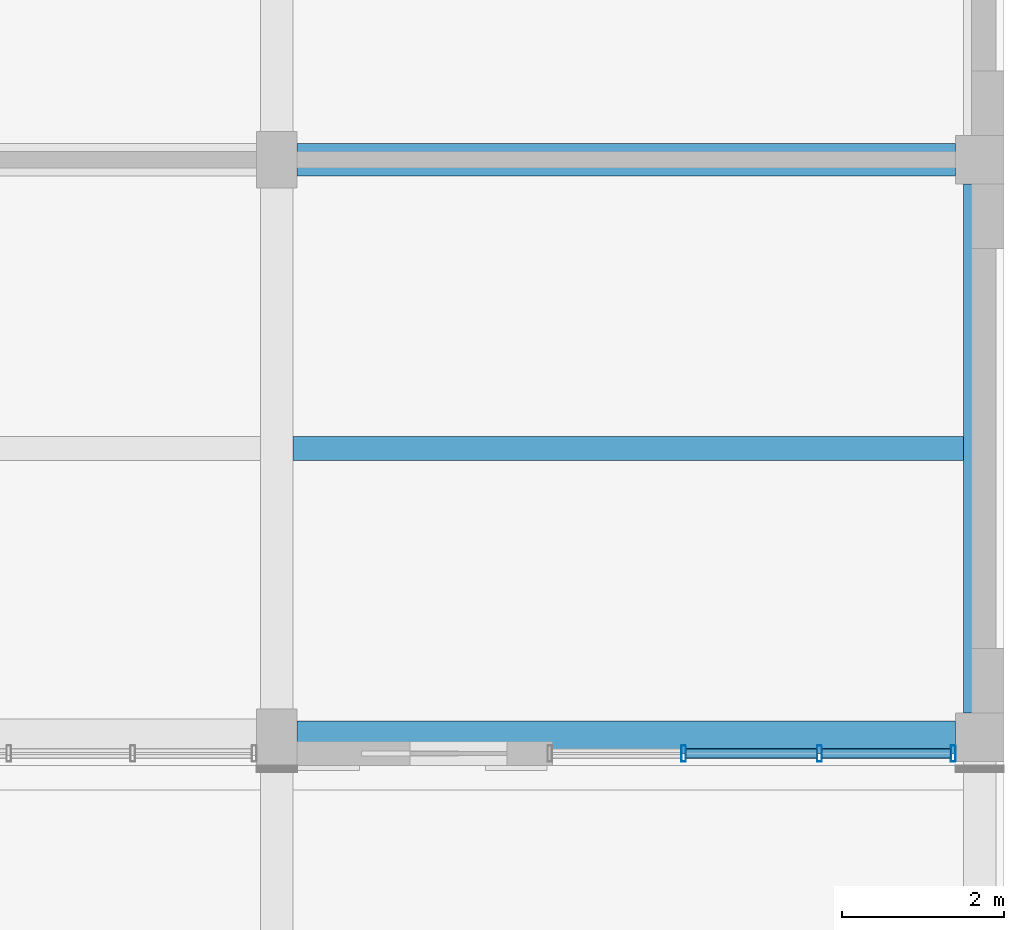
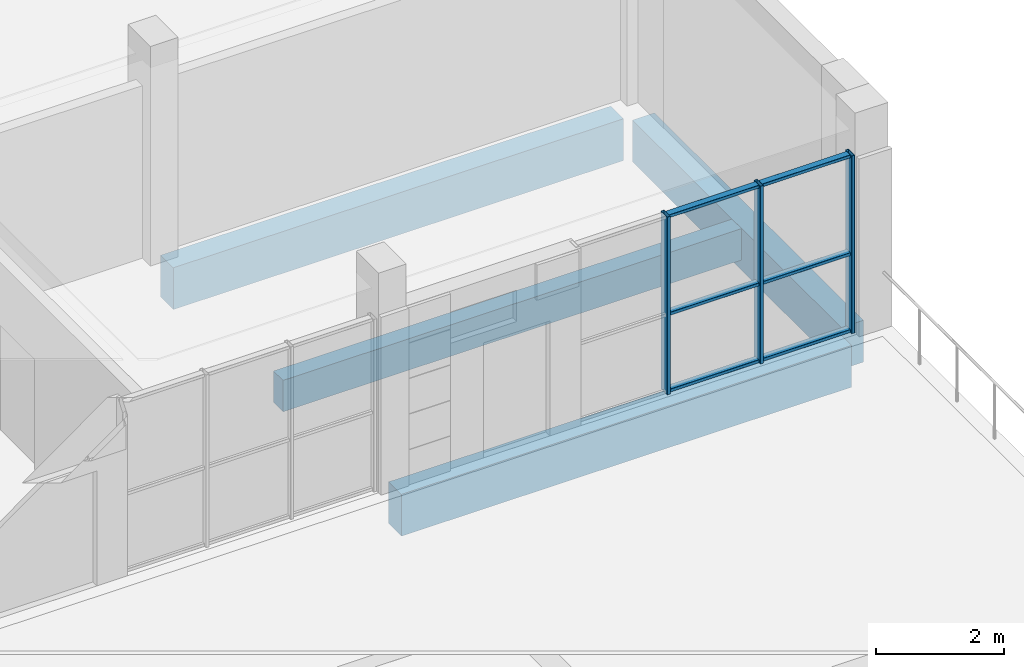
# One storey, part 10 of 42: 9 members, 4 beams, 1 element without a shape of its own.
"""IFC4 building model written with IfcOpenShell, lengths in metres."""

from ifc_helpers import new_model, si_unit, direction, frame, origin, origin_2d, place, context, subcontext, project, spatial, rectangle, hollow_rectangle, extrude, material, material_profile, profile_set, type_object, element, aggregate, save


model = new_model("IFC4")

# Units and contexts
model_context = context("Model", 3, precision=1e-05, world=origin(), true_north=direction((0.0, 1.0)))
body_context = subcontext(model_context, "Body", "Model", "MODEL_VIEW")
ifc_project = project(units=[si_unit("LENGTHUNIT", "METRE"), si_unit("AREAUNIT", "SQUARE_METRE"), si_unit("VOLUMEUNIT", "CUBIC_METRE"), si_unit("PLANEANGLEUNIT", "RADIAN"), si_unit("MASSUNIT", "GRAM", prefix="KILO")], contexts=[model_context])

# Site, building, storey
site_placement = place(None, origin())
site = spatial("IfcSite", under=ifc_project, at=site_placement, CompositionType="ELEMENT")
building_placement = place(site_placement, origin())
building = spatial("IfcBuilding", under=site, at=building_placement, Name="Sun Court Science Centre", CompositionType="ELEMENT")
storey_placement = place(building_placement, frame((0.0, 0.0, 20.25)))
storey = spatial("IfcBuildingStorey", under=building, at=storey_placement, Name="L04", CompositionType="ELEMENT", Elevation=20.25)

# Curtain wall, members
ifc_material_1 = material(Name="Aluminium EN AW-6063 T6", Category="aluminium")
curtain_wall_type = type_object("IfcCurtainWallType", Name="Laboratory tall bay curtain wall 1500", PredefinedType="NOTDEFINED", material=ifc_material_1)
curtain_wall_placement = place(storey_placement, origin())
curtain_wall = element("IfcCurtainWall", 1, at=curtain_wall_placement, inside=storey, type_object=curtain_wall_type, Name="Curtain wall V4 S4 L04 01", PredefinedType="NOTDEFINED")
ifc_material_2 = material(Name="Aluminium EN AW-6063 T6", Category="aluminium")
ifc_material_profile_1 = material_profile(ifc_material_2, hollow_rectangle(XDim=0.06005859375, YDim=0.199951171875, WallThickness=0.0048828125, InnerFilletRadius=0.0048828125, OuterFilletRadius=0.007568359375, at=origin_2d()), Name="AL 60x200x5")
ifc_profile_set_1 = profile_set([ifc_material_profile_1], Name="Aluminium EN AW-6063 T6")
member_type_1 = type_object("IfcMemberType", Name="Curtain wall mullion AL 60x200", PredefinedType="MULLION", material=ifc_profile_set_1)
member_1_placement = place(storey_placement, frame((100.033447265625, 28.64990234375, 0.0), z_axis=(0.0, 0.0, 1.0), x_axis=(-1.0, 0.0, 0.0)))
member_1 = element("IfcMember", 2, at=member_1_placement, type_object=member_type_1, Name="CW2-55 mullion 3", PredefinedType="MULLION", context=body_context, shape_type="SweptSolid", body=[
    extrude(hollow_rectangle(XDim=0.06005859375, YDim=0.199951171875, WallThickness=0.0048828125, InnerFilletRadius=0.0048828125, OuterFilletRadius=0.007568359375, at=origin_2d()), origin(), (0.0, 0.0, 1.0), 3.39990234375),
])
member_2_placement = place(storey_placement, frame((101.716552734375, 28.64990234375, 0.0), z_axis=(0.0, 0.0, 1.0), x_axis=(-1.0, 0.0, 0.0)))
member_2 = element("IfcMember", 3, at=member_2_placement, type_object=member_type_1, Name="CW2-55 mullion 2", PredefinedType="MULLION", context=body_context, shape_type="SweptSolid", body=[
    extrude(hollow_rectangle(XDim=0.06005859375, YDim=0.199951171875, WallThickness=0.0048828125, InnerFilletRadius=0.0048828125, OuterFilletRadius=0.007568359375, at=origin_2d()), origin(), (0.0, 0.0, 1.0), 3.39990234375),
])
member_3_placement = place(storey_placement, frame((103.3701171875, 28.64990234375, 0.0), z_axis=(0.0, 0.0, 1.0), x_axis=(-1.0, 0.0, 0.0)))
member_3 = element("IfcMember", 4, at=member_3_placement, type_object=member_type_1, Name="CW2-55 mullion 1", PredefinedType="MULLION", context=body_context, shape_type="SweptSolid", body=[
    extrude(hollow_rectangle(XDim=0.06005859375, YDim=0.199951171875, WallThickness=0.0048828125, InnerFilletRadius=0.0048828125, OuterFilletRadius=0.007568359375, at=origin_2d()), origin(), (0.0, 0.0, 1.0), 3.39990234375),
])
ifc_material_3 = material(Name="Aluminium EN AW-6063 T6", Category="aluminium")
ifc_material_profile_2 = material_profile(ifc_material_3, hollow_rectangle(XDim=0.06005859375, YDim=0.1201171875, WallThickness=0.00390625, InnerFilletRadius=0.00390625, OuterFilletRadius=0.006103515625, at=origin_2d()), Name="AL 60x120x4")
ifc_profile_set_2 = profile_set([ifc_material_profile_2], Name="Aluminium EN AW-6063 T6")
member_type_2 = type_object("IfcMemberType", Name="Curtain wall transom AL 60x120", PredefinedType="USERDEFINED", material=ifc_profile_set_2)
member_4_placement = place(storey_placement, frame((101.686767578125, 28.64990234375, 0.030029296875), z_axis=(-1.0, 0.0, 0.0), x_axis=(0.0, 0.0, 1.0)))
member_4 = element("IfcMember", 5, at=member_4_placement, type_object=member_type_2, Name="CW2-55 transom 2.1", ObjectType="TRANSOM", PredefinedType="USERDEFINED", context=body_context, shape_type="SweptSolid", body=[
    extrude(hollow_rectangle(XDim=0.06005859375, YDim=0.1201171875, WallThickness=0.00390625, InnerFilletRadius=0.00390625, OuterFilletRadius=0.006103515625, at=origin_2d()), origin(), (0.0, 0.0, 1.0), 1.62353515625),
])
member_5_placement = place(storey_placement, frame((103.340087890625, 28.64990234375, 0.030029296875), z_axis=(-1.0, 0.0, 0.0), x_axis=(0.0, 0.0, 1.0)))
member_5 = element("IfcMember", 6, at=member_5_placement, type_object=member_type_2, Name="CW2-55 transom 1.1", ObjectType="TRANSOM", PredefinedType="USERDEFINED", context=body_context, shape_type="SweptSolid", body=[
    extrude(hollow_rectangle(XDim=0.06005859375, YDim=0.1201171875, WallThickness=0.00390625, InnerFilletRadius=0.00390625, OuterFilletRadius=0.006103515625, at=origin_2d()), origin(), (0.0, 0.0, 1.0), 1.593505859375),
])
member_6_placement = place(storey_placement, frame((101.686767578125, 28.64990234375, 1.5), z_axis=(-1.0, 0.0, 0.0), x_axis=(0.0, 0.0, 1.0)))
member_6 = element("IfcMember", 7, at=member_6_placement, type_object=member_type_2, Name="CW2-55 transom 2.2", ObjectType="TRANSOM", PredefinedType="USERDEFINED", context=body_context, shape_type="SweptSolid", body=[
    extrude(hollow_rectangle(XDim=0.06005859375, YDim=0.1201171875, WallThickness=0.00390625, InnerFilletRadius=0.00390625, OuterFilletRadius=0.006103515625, at=origin_2d()), origin(), (0.0, 0.0, 1.0), 1.62353515625),
])
member_7_placement = place(storey_placement, frame((103.340087890625, 28.64990234375, 1.5), z_axis=(-1.0, 0.0, 0.0), x_axis=(0.0, 0.0, 1.0)))
member_7 = element("IfcMember", 8, at=member_7_placement, type_object=member_type_2, Name="CW2-55 transom 1.2", ObjectType="TRANSOM", PredefinedType="USERDEFINED", context=body_context, shape_type="SweptSolid", body=[
    extrude(hollow_rectangle(XDim=0.06005859375, YDim=0.1201171875, WallThickness=0.00390625, InnerFilletRadius=0.00390625, OuterFilletRadius=0.006103515625, at=origin_2d()), origin(), (0.0, 0.0, 1.0), 1.593505859375),
])
member_8_placement = place(storey_placement, frame((101.686767578125, 28.64990234375, 3.3701171875), z_axis=(-1.0, 0.0, 0.0), x_axis=(0.0, 0.0, 1.0)))
member_8 = element("IfcMember", 9, at=member_8_placement, type_object=member_type_2, Name="CW2-55 transom 2.3", ObjectType="TRANSOM", PredefinedType="USERDEFINED", context=body_context, shape_type="SweptSolid", body=[
    extrude(hollow_rectangle(XDim=0.06005859375, YDim=0.1201171875, WallThickness=0.00390625, InnerFilletRadius=0.00390625, OuterFilletRadius=0.006103515625, at=origin_2d()), origin(), (0.0, 0.0, 1.0), 1.62353515625),
])
member_9_placement = place(storey_placement, frame((103.340087890625, 28.64990234375, 3.3701171875), z_axis=(-1.0, 0.0, 0.0), x_axis=(0.0, 0.0, 1.0)))
member_9 = element("IfcMember", 10, at=member_9_placement, type_object=member_type_2, Name="CW2-55 transom 1.3", ObjectType="TRANSOM", PredefinedType="USERDEFINED", context=body_context, shape_type="SweptSolid", body=[
    extrude(hollow_rectangle(XDim=0.06005859375, YDim=0.1201171875, WallThickness=0.00390625, InnerFilletRadius=0.00390625, OuterFilletRadius=0.006103515625, at=origin_2d()), origin(), (0.0, 0.0, 1.0), 1.593505859375),
])
aggregate(curtain_wall, [member_1, member_2, member_3, member_4, member_5, member_6, member_7, member_8, member_9])

# Beams
ifc_material_4 = material(Name="Concrete C25/30", Category="concrete")
ifc_material_profile_3 = material_profile(ifc_material_4, rectangle(XDim=0.39990234375, YDim=0.800048828125, at=origin_2d()), Name="RC 400x800")
ifc_profile_set_3 = profile_set([ifc_material_profile_3], Name="Concrete C25/30")
beam_type_1 = type_object("IfcBeamType", Name="RC girder 400x800", PredefinedType="BEAM", material=ifc_profile_set_3)
for number, where, z_axis, x_axis, name in (
    (11, (95.25, 28.85009765625, -0.699951171875), (1.0, 0.0, 0.0), (0.0, 1.0, 0.0), "Girder L04 row 4"),
    (12, (95.25, 36.0, -0.699951171875), (1.0, 0.0, 0.0), (0.0, 1.0, 0.0), "Girder L04 row 5"),
):
    element("IfcBeam", number, at=place(storey_placement, frame(where, z_axis=z_axis, x_axis=x_axis)), inside=storey, type_object=beam_type_1, Name=name, PredefinedType="BEAM", context=body_context, shape_type="SweptSolid", body=[
        extrude(rectangle(XDim=0.39990234375, YDim=0.800048828125, at=origin_2d()), origin(), (0.0, 0.0, 1.0), 8.14990234375),
    ])
beam_1_placement = place(storey_placement, frame((103.699951171875, 29.14990234375, -0.699951171875), z_axis=(0.0, 1.0, 0.0), x_axis=(-1.0, 0.0, 0.0)))
element("IfcBeam", 13, at=beam_1_placement, inside=storey, type_object=beam_type_1, Name="Girder L04 line 4", PredefinedType="BEAM", context=body_context, shape_type="SweptSolid", body=[
    extrude(rectangle(XDim=0.39990234375, YDim=0.800048828125, at=origin_2d()), origin(), (0.0, 0.0, 1.0), 6.550048828125),
])
ifc_material_5 = material(Name="Concrete C25/30", Category="concrete")
ifc_material_profile_4 = material_profile(ifc_material_5, rectangle(XDim=0.300048828125, YDim=0.60009765625, at=origin_2d()), Name="RC 300x600")
ifc_profile_set_4 = profile_set([ifc_material_profile_4], Name="Concrete C25/30")
beam_type_2 = type_object("IfcBeamType", Name="RC joist 300x600", PredefinedType="JOIST", material=ifc_profile_set_4)
beam_2_placement = place(storey_placement, frame((95.199951171875, 32.425048828125, -0.60009765625), z_axis=(1.0, 0.0, 0.0), x_axis=(0.0, 1.0, 0.0)))
element("IfcBeam", 14, at=beam_2_placement, inside=storey, type_object=beam_type_2, Name="Joist L04", PredefinedType="JOIST", context=body_context, shape_type="SweptSolid", body=[
    extrude(rectangle(XDim=0.300048828125, YDim=0.60009765625, at=origin_2d()), origin(), (0.0, 0.0, 1.0), 8.300048828125),
])

save(model, "model.ifc")
